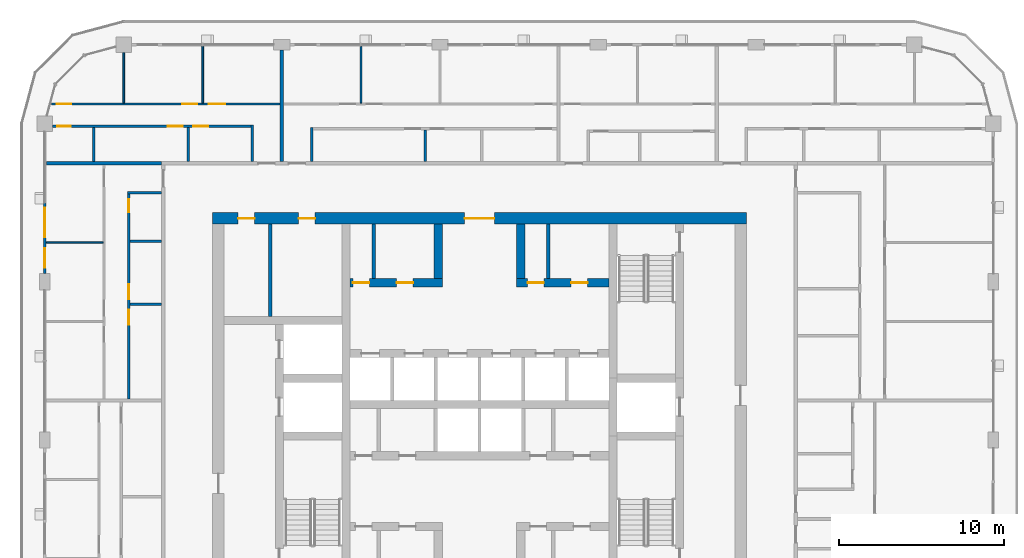
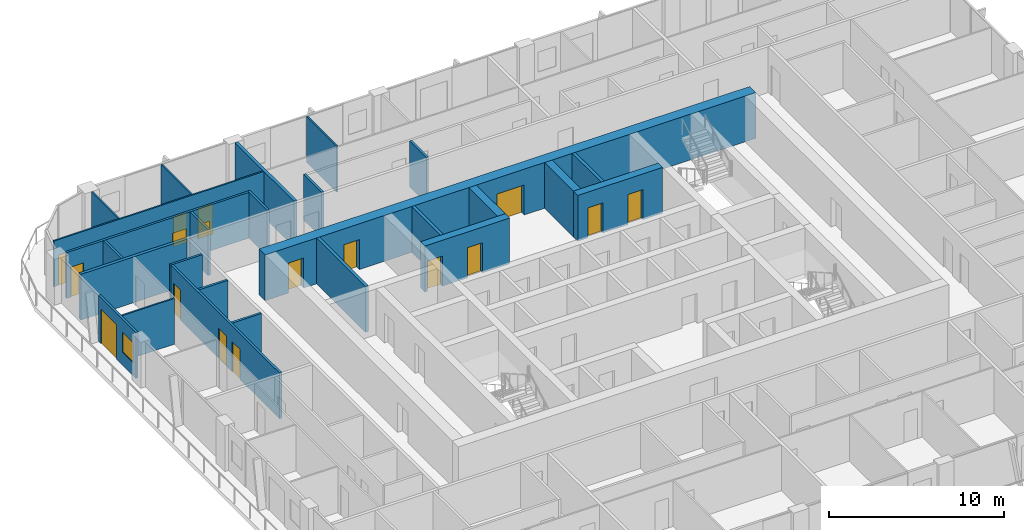
# One storey, part 13 of 22: 26 walls, 17 doors, 1 window, 18 openings.
"""IFC4 building model written with IfcOpenShell, lengths in metres."""

from ifc_helpers import new_model, si_unit, direction, frame, frame_2d, origin, place, context, subcontext, project, spatial, rectangle, extrude, material, layer, layer_set, type_object, element, fill, save


model = new_model("IFC4")

# Units and contexts
model_context = context("Model", 3, precision=1e-05, world=origin(), true_north=direction((0.0, 1.0)))
body_context = subcontext(model_context, "Body", "Model", "MODEL_VIEW")
ifc_project = project(units=[si_unit("LENGTHUNIT", "METRE"), si_unit("AREAUNIT", "SQUARE_METRE"), si_unit("VOLUMEUNIT", "CUBIC_METRE"), si_unit("PLANEANGLEUNIT", "RADIAN"), si_unit("MASSUNIT", "GRAM", prefix="KILO")], contexts=[model_context])

# Site, building, storey
site_placement = place(None, origin())
site = spatial("IfcSite", under=ifc_project, at=site_placement, CompositionType="ELEMENT")
building_placement = place(site_placement, origin())
building = spatial("IfcBuilding", under=site, at=building_placement, Name="Madar Terraces", CompositionType="ELEMENT")
storey_placement = place(building_placement, frame((0.0, 0.0, 189.39990234375)))
storey = spatial("IfcBuildingStorey", under=building, at=storey_placement, Name="L49", CompositionType="ELEMENT", Elevation=189.39990234375)

# Wall, openings, doors
ifc_material_1 = material(Name="Concrete C60/75", Category="concrete")
ifc_layer_1 = layer(ifc_material_1, 0.5)
ifc_layer_set_1 = layer_set([ifc_layer_1], Name="Concrete C60/75 (CIW4 RC wall 500)")
wall_type_1 = type_object("IfcWallType", Name="CIW4 RC wall 500", PredefinedType="SHEAR", material=ifc_layer_set_1)
wall_1_placement = place(storey_placement, frame((23.35009765625, 33.550048828125, 0.0), z_axis=(0.0, 0.0, 1.0), x_axis=(1.0, 0.0, 0.0)))
wall_1 = element("IfcWall", 1, at=wall_1_placement, inside=storey, type_object=wall_type_1, Name="CORE SHAFT WALL", PredefinedType="SHEAR", context=body_context, shape_type="SweptSolid", body=[
    extrude(rectangle(XDim=5.599853515625, YDim=0.5, at=frame_2d((2.7998046875, 0.0))), origin(), (0.0, 0.0, 1.0), 3.2001953125),
])
opening_1_placement = place(wall_1_placement, frame((0.1640625, 0.0, 0.0)))
opening_1 = element("IfcOpeningElement", 2, at=opening_1_placement, cuts=wall_1, Name="Opening KD2", PredefinedType="OPENING", context=body_context, shape_type="SweptSolid", body=[
    extrude(rectangle(XDim=1.0, YDim=2.10009765625, at=frame_2d((0.5, 1.050048828125))), frame((0.0, 0.260009765625, 0.0), z_axis=(0.0, -1.0, 0.0), x_axis=(1.0, 0.0, 0.0)), (0.0, 0.0, 1.0), 0.52001953125),
])
opening_2_placement = place(wall_1_placement, frame((2.81396484375, 0.0, 0.0)))
opening_2 = element("IfcOpeningElement", 3, at=opening_2_placement, cuts=wall_1, Name="Opening KD2", PredefinedType="OPENING", context=body_context, shape_type="SweptSolid", body=[
    extrude(rectangle(XDim=1.0, YDim=2.10009765625, at=frame_2d((0.5, 1.050048828125))), frame((0.0, 0.260009765625, 0.0), z_axis=(0.0, -1.0, 0.0), x_axis=(1.0, 0.0, 0.0)), (0.0, 0.0, 1.0), 0.52001953125),
])
ifc_material_2 = material(Name="Steel door leaf", Category="steel")
door_type_1 = type_object("IfcDoorType", Name="Service room door 1000 x 2100", OperationType="NOTDEFINED", PredefinedType="DOOR", material=ifc_material_2)
door_1_placement = place(opening_1_placement, frame((1.0, 0.0, 0.0), z_axis=(0.0, 0.0, 1.0), x_axis=(-1.0, 0.0, 0.0)))
door_1 = element("IfcDoor", 4, at=door_1_placement, inside=storey, type_object=door_type_1, Name="SERVICE ROOM DOOR", OperationType="SINGLE_SWING_RIGHT", OverallHeight=2.10009765625, OverallWidth=1.0, PredefinedType="DOOR", context=body_context, shape_type="SweptSolid", body=[
    extrude(rectangle(XDim=1.0, YDim=2.10009765625, at=frame_2d((0.5, 1.050048828125))), frame((0.0, 0.02490234375, 0.0), z_axis=(0.0, -1.0, 0.0), x_axis=(1.0, 0.0, 0.0)), (0.0, 0.0, 1.0), 0.050048828125),
])
fill(opening_1, door_1)
door_2_placement = place(opening_2_placement, frame((1.0, 0.0, 0.0), z_axis=(0.0, 0.0, 1.0), x_axis=(-1.0, 0.0, 0.0)))
door_2 = element("IfcDoor", 5, at=door_2_placement, inside=storey, type_object=door_type_1, Name="SERVICE ROOM DOOR", OperationType="SINGLE_SWING_LEFT", OverallHeight=2.10009765625, OverallWidth=1.0, PredefinedType="DOOR", context=body_context, shape_type="SweptSolid", body=[
    extrude(rectangle(XDim=1.0, YDim=2.10009765625, at=frame_2d((0.5, 1.050048828125))), frame((0.0, 0.02490234375, 0.0), z_axis=(0.0, -1.0, 0.0), x_axis=(1.0, 0.0, 0.0)), (0.0, 0.0, 1.0), 0.050048828125),
])
fill(opening_2, door_2)

wall_2_placement = place(storey_placement, frame((33.449951171875, 33.550048828125, 0.0), z_axis=(0.0, 0.0, 1.0), x_axis=(1.0, 0.0, 0.0)))
wall_2 = element("IfcWall", 6, at=wall_2_placement, inside=storey, type_object=wall_type_1, Name="CORE SHAFT WALL", PredefinedType="SHEAR", context=body_context, shape_type="SweptSolid", body=[
    extrude(rectangle(XDim=5.60009765625, YDim=0.5, at=frame_2d((2.800048828125, 0.0))), origin(), (0.0, 0.0, 1.0), 3.2001953125),
])
opening_3_placement = place(wall_2_placement, frame((0.6640625, 0.0, 0.0)))
opening_3 = element("IfcOpeningElement", 7, at=opening_3_placement, cuts=wall_2, Name="Opening KD2", PredefinedType="OPENING", context=body_context, shape_type="SweptSolid", body=[
    extrude(rectangle(XDim=1.0, YDim=2.10009765625, at=frame_2d((0.5, 1.050048828125))), frame((0.0, 0.260009765625, 0.0), z_axis=(0.0, -1.0, 0.0), x_axis=(1.0, 0.0, 0.0)), (0.0, 0.0, 1.0), 0.52001953125),
])
opening_4_placement = place(wall_2_placement, frame((3.31396484375, 0.0, 0.0)))
opening_4 = element("IfcOpeningElement", 8, at=opening_4_placement, cuts=wall_2, Name="Opening KD2", PredefinedType="OPENING", context=body_context, shape_type="SweptSolid", body=[
    extrude(rectangle(XDim=1.0, YDim=2.10009765625, at=frame_2d((0.5, 1.050048828125))), frame((0.0, 0.260009765625, 0.0), z_axis=(0.0, -1.0, 0.0), x_axis=(1.0, 0.0, 0.0)), (0.0, 0.0, 1.0), 0.52001953125),
])
door_3_placement = place(opening_3_placement, frame((1.0, 0.0, 0.0), z_axis=(0.0, 0.0, 1.0), x_axis=(-1.0, 0.0, 0.0)))
door_3 = element("IfcDoor", 9, at=door_3_placement, inside=storey, type_object=door_type_1, Name="SERVICE ROOM DOOR", OperationType="SINGLE_SWING_RIGHT", OverallHeight=2.10009765625, OverallWidth=1.0, PredefinedType="DOOR", context=body_context, shape_type="SweptSolid", body=[
    extrude(rectangle(XDim=1.0, YDim=2.10009765625, at=frame_2d((0.5, 1.050048828125))), frame((0.0, 0.02490234375, 0.0), z_axis=(0.0, -1.0, 0.0), x_axis=(1.0, 0.0, 0.0)), (0.0, 0.0, 1.0), 0.050048828125),
])
fill(opening_3, door_3)
door_4_placement = place(opening_4_placement, frame((1.0, 0.0, 0.0), z_axis=(0.0, 0.0, 1.0), x_axis=(-1.0, 0.0, 0.0)))
door_4 = element("IfcDoor", 10, at=door_4_placement, inside=storey, type_object=door_type_1, Name="SERVICE ROOM DOOR", OperationType="SINGLE_SWING_LEFT", OverallHeight=2.10009765625, OverallWidth=1.0, PredefinedType="DOOR", context=body_context, shape_type="SweptSolid", body=[
    extrude(rectangle(XDim=1.0, YDim=2.10009765625, at=frame_2d((0.5, 1.050048828125))), frame((0.0, 0.02490234375, 0.0), z_axis=(0.0, -1.0, 0.0), x_axis=(1.0, 0.0, 0.0)), (0.0, 0.0, 1.0), 0.050048828125),
])
fill(opening_4, door_4)

# Walls
for number, where, z_axis, x_axis, name in (
    (11, (28.699951171875, 33.800048828125, 0.0), (0.0, 0.0, 1.0), (0.0, 1.0, 0.0), "CORE SHAFT WALL"),
    (12, (33.699951171875, 33.800048828125, 0.0), (0.0, 0.0, 1.0), (0.0, 1.0, 0.0), "CORE SHAFT WALL"),
):
    element("IfcWall", number, at=place(storey_placement, frame(where, z_axis=z_axis, x_axis=x_axis)), inside=storey, type_object=wall_type_1, Name=name, PredefinedType="SHEAR", context=body_context, shape_type="SweptSolid", body=[
        extrude(rectangle(XDim=3.300048828125, YDim=0.5, at=frame_2d((1.64990234375, 0.0))), origin(), (0.0, 0.0, 1.0), 3.2001953125),
    ])

# Wall, openings, doors
ifc_material_3 = material(Name="Concrete C60/75", Category="concrete")
ifc_layer_2 = layer(ifc_material_3, 0.699951171875)
ifc_layer_set_2 = layer_set([ifc_layer_2], Name="Concrete C60/75 (CRW4 RC wall 700)")
wall_type_2 = type_object("IfcWallType", Name="CRW4 RC wall 700", PredefinedType="SHEAR", material=ifc_layer_set_2)
wall_3_placement = place(storey_placement, frame((15.0, 37.449951171875, 0.0), z_axis=(0.0, 0.0, 1.0), x_axis=(1.0, 0.0, 0.0)))
wall_3 = element("IfcWall", 13, at=wall_3_placement, inside=storey, type_object=wall_type_2, Name="CORE OUTER WALL", PredefinedType="SHEAR", context=body_context, shape_type="SweptSolid", body=[
    extrude(rectangle(XDim=32.39990234375, YDim=0.699951171875, at=frame_2d((16.199951171875, 0.0))), origin(), (0.0, 0.0, 1.0), 3.2001953125),
])
opening_5_placement = place(wall_3_placement, frame((15.300048828125, 0.0, 0.0)))
opening_5 = element("IfcOpeningElement", 14, at=opening_5_placement, cuts=wall_3, Name="Opening KD1", PredefinedType="OPENING", context=body_context, shape_type="SweptSolid", body=[
    extrude(rectangle(XDim=1.800048828125, YDim=2.10009765625, at=frame_2d((0.89990234375, 1.050048828125))), frame((0.0, 0.35986328125, 0.0), z_axis=(0.0, -1.0, 0.0), x_axis=(1.0, 0.0, 0.0)), (0.0, 0.0, 1.0), 0.719970703125),
])
opening_6_placement = place(wall_3_placement, frame((1.544189453125, 0.0, 0.0)))
opening_6 = element("IfcOpeningElement", 15, at=opening_6_placement, cuts=wall_3, Name="Opening KD2", PredefinedType="OPENING", context=body_context, shape_type="SweptSolid", body=[
    extrude(rectangle(XDim=1.0, YDim=2.10009765625, at=frame_2d((0.5, 1.050048828125))), frame((0.0, 0.35986328125, 0.0), z_axis=(0.0, -1.0, 0.0), x_axis=(1.0, 0.0, 0.0)), (0.0, 0.0, 1.0), 0.719970703125),
])
opening_7_placement = place(wall_3_placement, frame((5.21923828125, 0.0, 0.0)))
opening_7 = element("IfcOpeningElement", 16, at=opening_7_placement, cuts=wall_3, Name="Opening KD2", PredefinedType="OPENING", context=body_context, shape_type="SweptSolid", body=[
    extrude(rectangle(XDim=1.0, YDim=2.10009765625, at=frame_2d((0.5, 1.050048828125))), frame((0.0, 0.35986328125, 0.0), z_axis=(0.0, -1.0, 0.0), x_axis=(1.0, 0.0, 0.0)), (0.0, 0.0, 1.0), 0.719970703125),
])
ifc_material_4 = material(Name="Steel door leaf", Category="steel")
door_type_2 = type_object("IfcDoorType", Name="Lobby door pair 1800 x 2100", OperationType="DOUBLE_DOOR_SINGLE_SWING", PredefinedType="DOOR", material=ifc_material_4)
door_5_placement = place(opening_5_placement, origin())
door_5 = element("IfcDoor", 17, at=door_5_placement, inside=storey, type_object=door_type_2, Name="LIFT LOBBY DOOR", OperationType="DOUBLE_DOOR_SINGLE_SWING", OverallHeight=2.10009765625, OverallWidth=1.800048828125, PredefinedType="DOOR", context=body_context, shape_type="SweptSolid", body=[
    extrude(rectangle(XDim=1.800048828125, YDim=2.10009765625, at=frame_2d((0.89990234375, 1.050048828125))), frame((0.0, 0.02490234375, 0.0), z_axis=(0.0, -1.0, 0.0), x_axis=(1.0, 0.0, 0.0)), (0.0, 0.0, 1.0), 0.050048828125),
])
fill(opening_5, door_5)
door_6_placement = place(opening_6_placement, origin())
door_6 = element("IfcDoor", 18, at=door_6_placement, inside=storey, type_object=door_type_1, Name="SERVICE ROOM DOOR", OperationType="SINGLE_SWING_RIGHT", OverallHeight=2.10009765625, OverallWidth=1.0, PredefinedType="DOOR", context=body_context, shape_type="SweptSolid", body=[
    extrude(rectangle(XDim=1.0, YDim=2.10009765625, at=frame_2d((0.5, 1.050048828125))), frame((0.0, 0.02490234375, 0.0), z_axis=(0.0, -1.0, 0.0), x_axis=(1.0, 0.0, 0.0)), (0.0, 0.0, 1.0), 0.050048828125),
])
fill(opening_6, door_6)
door_7_placement = place(opening_7_placement, origin())
door_7 = element("IfcDoor", 19, at=door_7_placement, inside=storey, type_object=door_type_1, Name="SERVICE ROOM DOOR", OperationType="SINGLE_SWING_LEFT", OverallHeight=2.10009765625, OverallWidth=1.0, PredefinedType="DOOR", context=body_context, shape_type="SweptSolid", body=[
    extrude(rectangle(XDim=1.0, YDim=2.10009765625, at=frame_2d((0.5, 1.050048828125))), frame((0.0, 0.02490234375, 0.0), z_axis=(0.0, -1.0, 0.0), x_axis=(1.0, 0.0, 0.0)), (0.0, 0.0, 1.0), 0.050048828125),
])
fill(opening_7, door_7)

# Walls
ifc_material_5 = material(Name="Masonry blockwork", Category="masonry")
ifc_layer_3 = layer(ifc_material_5, 0.199951171875)
ifc_layer_set_3 = layer_set([ifc_layer_3], Name="Core partition 200 blockwork")
wall_type_3 = type_object("IfcWallType", Name="Core partition 200 blockwork", PredefinedType="PARTITIONING", material=ifc_layer_set_3)
wall_4_placement = place(storey_placement, frame((18.488525390625, 31.5, 0.0), z_axis=(0.0, 0.0, 1.0), x_axis=(0.0, 1.0, 0.0)))
element("IfcWall", 20, at=wall_4_placement, inside=storey, type_object=wall_type_3, Name="SERVICE ROOM PARTITION", PredefinedType="PARTITIONING", context=body_context, shape_type="SweptSolid", body=[
    extrude(rectangle(XDim=5.60009765625, YDim=0.199951171875, at=frame_2d((2.800048828125, 0.0))), origin(), (0.0, 0.0, 1.0), 3.2001953125),
])
for number, where, z_axis, x_axis, name in (
    (21, (24.778076171875, 33.800048828125, 0.0), (0.0, 0.0, 1.0), (0.0, 1.0, 0.0), "SERVICE ROOM PARTITION"),
    (22, (35.3779296875, 33.800048828125, 0.0), (0.0, 0.0, 1.0), (0.0, 1.0, 0.0), "SERVICE ROOM PARTITION"),
):
    element("IfcWall", number, at=place(storey_placement, frame(where, z_axis=z_axis, x_axis=x_axis)), inside=storey, type_object=wall_type_3, Name=name, PredefinedType="PARTITIONING", context=body_context, shape_type="SweptSolid", body=[
        extrude(rectangle(XDim=3.300048828125, YDim=0.199951171875, at=frame_2d((1.64990234375, 0.0))), origin(), (0.0, 0.0, 1.0), 3.2001953125),
    ])

# Wall, openings, door, window
ifc_material_6 = material(Name="Aluminium composite panel, black, over insulated backing", Category="aluminium")
ifc_layer_4 = layer(ifc_material_6, 0.14990234375)
ifc_layer_set_4 = layer_set([ifc_layer_4], Name="Facade bay panel 150")
wall_type_4 = type_object("IfcWallType", Name="Facade bay panel 150", PredefinedType="SOLIDWALL", material=ifc_layer_set_4)
wall_5_placement = place(storey_placement, frame((4.800048828125, 38.39990234375, 0.0), z_axis=(0.0, 0.0, 1.0), x_axis=(0.0, -1.0, 0.0)))
wall_5 = element("IfcWall", 23, at=wall_5_placement, inside=storey, type_object=wall_type_4, Name="Facade bay panel", PredefinedType="SOLIDWALL", context=body_context, shape_type="SweptSolid", body=[
    extrude(rectangle(XDim=4.2998046875, YDim=0.14990234375, at=frame_2d((2.14990234375, 0.0))), origin(), (0.0, 0.0, 1.0), 3.2001953125),
])
opening_8_placement = place(wall_5_placement, frame((0.300048828125, 0.0, 0.0)))
opening_8 = element("IfcOpeningElement", 24, at=opening_8_placement, cuts=wall_5, Name="Opening ED1", PredefinedType="OPENING", context=body_context, shape_type="SweptSolid", body=[
    extrude(rectangle(XDim=1.800048828125, YDim=2.39990234375, at=frame_2d((0.89990234375, 1.199951171875))), frame((0.0, 0.0849609375, 0.0), z_axis=(0.0, -1.0, 0.0), x_axis=(1.0, 0.0, 0.0)), (0.0, 0.0, 1.0), 0.169921875),
])
opening_9_placement = place(wall_5_placement, frame((2.75, 0.0, 0.89990234375)))
opening_9 = element("IfcOpeningElement", 25, at=opening_9_placement, cuts=wall_5, Name="Opening W1", PredefinedType="OPENING", context=body_context, shape_type="SweptSolid", body=[
    extrude(rectangle(XDim=1.199951171875, YDim=1.39990234375, at=frame_2d((0.60009765625, 0.699951171875))), frame((0.0, 0.0849609375, 0.0), z_axis=(0.0, -1.0, 0.0), x_axis=(1.0, 0.0, 0.0)), (0.0, 0.0, 1.0), 0.169921875),
])
ifc_material_7 = material(Name="Glass, clear, with black aluminium frame", Category="aluminium")
door_type_3 = type_object("IfcDoorType", Name="Balcony and terrace sliding door 1800 x 2400", OperationType="SLIDING_TO_LEFT", PredefinedType="DOOR", material=ifc_material_7)
door_8_placement = place(opening_8_placement, origin())
door_8 = element("IfcDoor", 26, at=door_8_placement, inside=storey, type_object=door_type_3, Name="Balcony door", OperationType="SLIDING_TO_RIGHT", OverallHeight=2.39990234375, OverallWidth=1.800048828125, PredefinedType="DOOR", context=body_context, shape_type="SweptSolid", body=[
    extrude(rectangle(XDim=1.800048828125, YDim=2.39990234375, at=frame_2d((0.89990234375, 1.199951171875))), frame((0.0, 0.02490234375, 0.0), z_axis=(0.0, -1.0, 0.0), x_axis=(1.0, 0.0, 0.0)), (0.0, 0.0, 1.0), 0.050048828125),
])
fill(opening_8, door_8)
ifc_material_8 = material(Name="Glass, clear, with black aluminium frame", Category="aluminium")
window_type = type_object("IfcWindowType", Name="Vent window 1200 x 1400", PartitioningType="SINGLE_PANEL", PredefinedType="WINDOW", material=ifc_material_8)
window_placement = place(opening_9_placement, origin())
window = element("IfcWindow", 27, at=window_placement, inside=storey, type_object=window_type, Name="Operable vent window", OverallHeight=1.39990234375, OverallWidth=1.199951171875, PartitioningType="SINGLE_PANEL", PredefinedType="WINDOW", context=body_context, shape_type="SweptSolid", body=[
    extrude(rectangle(XDim=1.199951171875, YDim=1.39990234375, at=frame_2d((0.60009765625, 0.699951171875))), frame((0.0, 0.030029296875, 0.0), z_axis=(0.0, -1.0, 0.0), x_axis=(1.0, 0.0, 0.0)), (0.0, 0.0, 1.0), 0.06005859375),
])
fill(opening_9, window)

# Walls
ifc_material_9 = material(Name="Gypsum board on steel studs", Category="steel")
ifc_layer_5 = layer(ifc_material_9, 0.10009765625)
ifc_layer_set_5 = layer_set([ifc_layer_5], Name="Flat partition 100")
wall_type_5 = type_object("IfcWallType", Name="Flat partition 100", PredefinedType="PARTITIONING", material=ifc_layer_set_5)
for number, where, z_axis, x_axis, name in (
    (28, (24.0, 44.449951171875, 0.0), (0.0, 0.0, 1.0), (0.0, 1.0, 0.0), "Flat partition 100"),
    (29, (14.39990234375, 44.449951171875, 0.0), (0.0, 0.0, 1.0), (0.0, 1.0, 0.0), "Flat partition 100"),
):
    element("IfcWall", number, at=place(storey_placement, frame(where, z_axis=z_axis, x_axis=x_axis)), inside=storey, type_object=wall_type_5, Name=name, PredefinedType="PARTITIONING", context=body_context, shape_type="SweptSolid", body=[
        extrude(rectangle(XDim=3.449951171875, YDim=0.10009765625, at=frame_2d((1.72509765625, 0.0))), origin(), (0.0, 0.0, 1.0), 3.2001953125),
    ])
wall_6_placement = place(storey_placement, frame((9.60009765625, 44.449951171875, 0.0), z_axis=(0.0, 0.0, 1.0), x_axis=(0.0, 1.0, 0.0)))
element("IfcWall", 30, at=wall_6_placement, inside=storey, type_object=wall_type_5, Name="Flat partition 100", PredefinedType="PARTITIONING", context=body_context, shape_type="SweptSolid", body=[
    extrude(rectangle(XDim=3.074951171875, YDim=0.10009765625, at=frame_2d((1.53759765625, 0.0))), origin(), (0.0, 0.0, 1.0), 3.2001953125),
])

# Wall, openings, doors
wall_7_placement = place(storey_placement, frame((5.221435546875, 44.39990234375, 0.0), z_axis=(0.0, 0.0, 1.0), x_axis=(1.0, 0.0, 0.0)))
wall_7 = element("IfcWall", 31, at=wall_7_placement, inside=storey, type_object=wall_type_5, Name="Flat partition 100", PredefinedType="PARTITIONING", context=body_context, shape_type="SweptSolid", body=[
    extrude(rectangle(XDim=13.878662109375, YDim=0.10009765625, at=frame_2d((6.939453125, 0.0))), origin(), (0.0, 0.0, 1.0), 3.2001953125),
])
opening_10_placement = place(wall_7_placement, frame((9.528564453125, 0.0, 0.0)))
opening_10 = element("IfcOpeningElement", 32, at=opening_10_placement, cuts=wall_7, Name="Opening D3", PredefinedType="OPENING", context=body_context, shape_type="SweptSolid", body=[
    extrude(rectangle(XDim=1.0, YDim=2.10009765625, at=frame_2d((0.5, 1.050048828125))), frame((0.0, 0.06005859375, 0.0), z_axis=(0.0, -1.0, 0.0), x_axis=(1.0, 0.0, 0.0)), (0.0, 0.0, 1.0), 0.1201171875),
])
opening_11_placement = place(wall_7_placement, frame((7.928466796875, 0.0, 0.0)))
opening_11 = element("IfcOpeningElement", 33, at=opening_11_placement, cuts=wall_7, Name="Opening D2", PredefinedType="OPENING", context=body_context, shape_type="SweptSolid", body=[
    extrude(rectangle(XDim=0.89990234375, YDim=2.10009765625, at=frame_2d((0.449951171875, 1.050048828125))), frame((0.0, 0.06005859375, 0.0), z_axis=(0.0, -1.0, 0.0), x_axis=(1.0, 0.0, 0.0)), (0.0, 0.0, 1.0), 0.1201171875),
])
opening_12_placement = place(wall_7_placement, frame((0.300048828125, 0.0, 0.0)))
opening_12 = element("IfcOpeningElement", 34, at=opening_12_placement, cuts=wall_7, Name="Opening D2", PredefinedType="OPENING", context=body_context, shape_type="SweptSolid", body=[
    extrude(rectangle(XDim=0.89990234375, YDim=2.10009765625, at=frame_2d((0.449951171875, 1.050048828125))), frame((0.0, 0.06005859375, 0.0), z_axis=(0.0, -1.0, 0.0), x_axis=(1.0, 0.0, 0.0)), (0.0, 0.0, 1.0), 0.1201171875),
])
ifc_material_10 = material(Name="Timber door leaf", Category="wood")
door_type_4 = type_object("IfcDoorType", Name="Flat living room door 1000", OperationType="NOTDEFINED", PredefinedType="DOOR", material=ifc_material_10)
door_9_placement = place(opening_10_placement, origin())
door_9 = element("IfcDoor", 35, at=door_9_placement, inside=storey, type_object=door_type_4, Name="Flat living room door 1000", OperationType="SINGLE_SWING_LEFT", OverallHeight=2.10009765625, OverallWidth=1.0, PredefinedType="DOOR", context=body_context, shape_type="SweptSolid", body=[
    extrude(rectangle(XDim=1.0, YDim=2.10009765625, at=frame_2d((0.5, 1.050048828125))), frame((0.0, 0.02490234375, 0.0), z_axis=(0.0, -1.0, 0.0), x_axis=(1.0, 0.0, 0.0)), (0.0, 0.0, 1.0), 0.050048828125),
])
fill(opening_10, door_9)
ifc_material_11 = material(Name="Timber door leaf", Category="wood")
door_type_5 = type_object("IfcDoorType", Name="Flat room door 900", OperationType="NOTDEFINED", PredefinedType="DOOR", material=ifc_material_11)
door_10_placement = place(opening_11_placement, origin())
door_10 = element("IfcDoor", 36, at=door_10_placement, inside=storey, type_object=door_type_5, Name="Flat room door 900", OperationType="SINGLE_SWING_RIGHT", OverallHeight=2.10009765625, OverallWidth=0.89990234375, PredefinedType="DOOR", context=body_context, shape_type="SweptSolid", body=[
    extrude(rectangle(XDim=0.89990234375, YDim=2.10009765625, at=frame_2d((0.449951171875, 1.050048828125))), frame((0.0, 0.02490234375, 0.0), z_axis=(0.0, -1.0, 0.0), x_axis=(1.0, 0.0, 0.0)), (0.0, 0.0, 1.0), 0.050048828125),
])
fill(opening_11, door_10)
door_11_placement = place(opening_12_placement, origin())
door_11 = element("IfcDoor", 37, at=door_11_placement, inside=storey, type_object=door_type_5, Name="Flat room door 900", OperationType="SINGLE_SWING_LEFT", OverallHeight=2.10009765625, OverallWidth=0.89990234375, PredefinedType="DOOR", context=body_context, shape_type="SweptSolid", body=[
    extrude(rectangle(XDim=0.89990234375, YDim=2.10009765625, at=frame_2d((0.449951171875, 1.050048828125))), frame((0.0, 0.02490234375, 0.0), z_axis=(0.0, -1.0, 0.0), x_axis=(1.0, 0.0, 0.0)), (0.0, 0.0, 1.0), 0.050048828125),
])
fill(opening_12, door_11)

# Walls
wall_8_placement = place(storey_placement, frame((8.35009765625, 36.0, 0.0), z_axis=(0.0, 0.0, 1.0), x_axis=(-1.0, 0.0, 0.0)))
element("IfcWall", 38, at=wall_8_placement, inside=storey, type_object=wall_type_5, Name="Flat partition 100", PredefinedType="PARTITIONING", context=body_context, shape_type="SweptSolid", body=[
    extrude(rectangle(XDim=3.4501953125, YDim=0.10009765625, at=frame_2d((1.72509765625, 0.0))), origin(), (0.0, 0.0, 1.0), 3.2001953125),
])
ifc_material_12 = material(Name="Lightweight blockwork", Category="masonry")
ifc_layer_6 = layer(ifc_material_12, 0.199951171875)
ifc_layer_set_6 = layer_set([ifc_layer_6], Name="Flat party and entrance wall 200")
wall_type_6 = type_object("IfcWallType", Name="Flat party and entrance wall 200", PredefinedType="PARTITIONING", material=ifc_layer_set_6)
wall_9_placement = place(storey_placement, frame((19.199951171875, 47.675048828125, 0.0), z_axis=(0.0, 0.0, 1.0), x_axis=(0.0, -1.0, 0.0)))
element("IfcWall", 39, at=wall_9_placement, inside=storey, type_object=wall_type_6, Name="Flat party and entrance wall 200", PredefinedType="PARTITIONING", context=body_context, shape_type="SweptSolid", body=[
    extrude(rectangle(XDim=6.775146484375, YDim=0.199951171875, at=frame_2d((3.3876953125, 0.0))), origin(), (0.0, 0.0, 1.0), 3.2001953125),
])
wall_10_placement = place(storey_placement, frame((4.89990234375, 40.800048828125, 0.0), z_axis=(0.0, 0.0, 1.0), x_axis=(1.0, 0.0, 0.0)))
element("IfcWall", 40, at=wall_10_placement, inside=storey, type_object=wall_type_6, Name="Flat party and entrance wall 200", PredefinedType="PARTITIONING", context=body_context, shape_type="SweptSolid", body=[
    extrude(rectangle(XDim=7.0, YDim=0.199951171875, at=frame_2d((3.5, 0.0))), origin(), (0.0, 0.0, 1.0), 3.2001953125),
])
ifc_material_13 = material(Name="Lightweight blockwork", Category="masonry")
ifc_layer_7 = layer(ifc_material_13, 0.14990234375)
ifc_layer_set_7 = layer_set([ifc_layer_7], Name="Flat wet-room partition 150")
wall_type_7 = type_object("IfcWallType", Name="Flat wet-room partition 150", PredefinedType="PARTITIONING", material=ifc_layer_set_7)
wall_11_placement = place(storey_placement, frame((27.917236328125, 40.89990234375, 0.0), z_axis=(0.0, 0.0, 1.0), x_axis=(0.0, 1.0, 0.0)))
element("IfcWall", 41, at=wall_11_placement, inside=storey, type_object=wall_type_7, Name="Flat wet-room partition 150", PredefinedType="PARTITIONING", context=body_context, shape_type="SweptSolid", body=[
    extrude(rectangle(XDim=1.925048828125, YDim=0.14990234375, at=frame_2d((0.96240234375, 0.0))), origin(), (0.0, 0.0, 1.0), 3.2001953125),
])
for number, where, z_axis, x_axis, name in (
    (42, (21.0, 40.89990234375, 0.0), (0.0, 0.0, 1.0), (0.0, 1.0, 0.0), "Flat wet-room partition 150"),
    (43, (13.501953125, 40.89990234375, 0.0), (0.0, 0.0, 1.0), (0.0, 1.0, 0.0), "Flat wet-room partition 150"),
    (44, (7.767333984375, 40.89990234375, 0.0), (0.0, 0.0, 1.0), (0.0, 1.0, 0.0), "Flat wet-room partition 150"),
):
    element("IfcWall", number, at=place(storey_placement, frame(where, z_axis=z_axis, x_axis=x_axis)), inside=storey, type_object=wall_type_7, Name=name, PredefinedType="PARTITIONING", context=body_context, shape_type="SweptSolid", body=[
        extrude(rectangle(XDim=2.0751953125, YDim=0.14990234375, at=frame_2d((1.03759765625, 0.0))), origin(), (0.0, 0.0, 1.0), 3.2001953125),
    ])
wall_12_placement = place(storey_placement, frame((17.39990234375, 40.89990234375, 0.0), z_axis=(0.0, 0.0, 1.0), x_axis=(0.0, 1.0, 0.0)))
element("IfcWall", 45, at=wall_12_placement, inside=storey, type_object=wall_type_7, Name="Flat wet-room partition 150", PredefinedType="PARTITIONING", context=body_context, shape_type="SweptSolid", body=[
    extrude(rectangle(XDim=2.22509765625, YDim=0.14990234375, at=frame_2d((1.112548828125, 0.0))), origin(), (0.0, 0.0, 1.0), 3.2001953125),
])

# Wall, openings, doors
wall_13_placement = place(storey_placement, frame((17.324951171875, 43.050048828125, 0.0), z_axis=(0.0, 0.0, 1.0), x_axis=(-1.0, 0.0, 0.0)))
wall_13 = element("IfcWall", 46, at=wall_13_placement, inside=storey, type_object=wall_type_7, Name="Flat wet-room partition 150", PredefinedType="PARTITIONING", context=body_context, shape_type="SweptSolid", body=[
    extrude(rectangle(XDim=12.050048828125, YDim=0.14990234375, at=frame_2d((6.02490234375, 0.0))), origin(), (0.0, 0.0, 1.0), 3.2001953125),
])
opening_13_placement = place(wall_13_placement, frame((2.59814453125, 0.0, 0.0)))
opening_13 = element("IfcOpeningElement", 47, at=opening_13_placement, cuts=wall_13, Name="Opening D5", PredefinedType="OPENING", context=body_context, shape_type="SweptSolid", body=[
    extrude(rectangle(XDim=0.89990234375, YDim=2.10009765625, at=frame_2d((0.449951171875, 1.050048828125))), frame((0.0, 0.0849609375, 0.0), z_axis=(0.0, -1.0, 0.0), x_axis=(1.0, 0.0, 0.0)), (0.0, 0.0, 1.0), 0.169921875),
])
opening_14_placement = place(wall_13_placement, frame((4.148193359375, 0.0, 0.0)))
opening_14 = element("IfcOpeningElement", 48, at=opening_14_placement, cuts=wall_13, Name="Opening D2", PredefinedType="OPENING", context=body_context, shape_type="SweptSolid", body=[
    extrude(rectangle(XDim=0.89990234375, YDim=2.10009765625, at=frame_2d((0.449951171875, 1.050048828125))), frame((0.0, 0.0849609375, 0.0), z_axis=(0.0, -1.0, 0.0), x_axis=(1.0, 0.0, 0.0)), (0.0, 0.0, 1.0), 0.169921875),
])
opening_15_placement = place(wall_13_placement, frame((10.949951171875, 0.0, 0.0)))
opening_15 = element("IfcOpeningElement", 49, at=opening_15_placement, cuts=wall_13, Name="Opening D4", PredefinedType="OPENING", context=body_context, shape_type="SweptSolid", body=[
    extrude(rectangle(XDim=0.800048828125, YDim=2.10009765625, at=frame_2d((0.39990234375, 1.050048828125))), frame((0.0, 0.0849609375, 0.0), z_axis=(0.0, -1.0, 0.0), x_axis=(1.0, 0.0, 0.0)), (0.0, 0.0, 1.0), 0.169921875),
])
ifc_material_14 = material(Name="Timber door leaf", Category="wood")
door_type_6 = type_object("IfcDoorType", Name="Flat accessible bathroom door 900", OperationType="NOTDEFINED", PredefinedType="DOOR", material=ifc_material_14)
door_12_placement = place(opening_13_placement, origin())
door_12 = element("IfcDoor", 50, at=door_12_placement, inside=storey, type_object=door_type_6, Name="Flat accessible bathroom door 900", OperationType="SINGLE_SWING_RIGHT", OverallHeight=2.10009765625, OverallWidth=0.89990234375, PredefinedType="DOOR", context=body_context, shape_type="SweptSolid", body=[
    extrude(rectangle(XDim=0.89990234375, YDim=2.10009765625, at=frame_2d((0.449951171875, 1.050048828125))), frame((0.0, 0.02490234375, 0.0), z_axis=(0.0, -1.0, 0.0), x_axis=(1.0, 0.0, 0.0)), (0.0, 0.0, 1.0), 0.050048828125),
])
fill(opening_13, door_12)
ifc_material_15 = material(Name="Timber door leaf", Category="wood")
door_type_7 = type_object("IfcDoorType", Name="Flat bathroom door 800", OperationType="NOTDEFINED", PredefinedType="DOOR", material=ifc_material_15)
door_13_placement = place(opening_15_placement, origin())
door_13 = element("IfcDoor", 51, at=door_13_placement, inside=storey, type_object=door_type_7, Name="Flat bathroom door 800", OperationType="SINGLE_SWING_RIGHT", OverallHeight=2.10009765625, OverallWidth=0.800048828125, PredefinedType="DOOR", context=body_context, shape_type="SweptSolid", body=[
    extrude(rectangle(XDim=0.800048828125, YDim=2.10009765625, at=frame_2d((0.39990234375, 1.050048828125))), frame((0.0, 0.02490234375, 0.0), z_axis=(0.0, -1.0, 0.0), x_axis=(1.0, 0.0, 0.0)), (0.0, 0.0, 1.0), 0.050048828125),
])
fill(opening_15, door_13)
door_14_placement = place(opening_14_placement, origin())
door_14 = element("IfcDoor", 52, at=door_14_placement, inside=storey, type_object=door_type_5, Name="Flat room door 900", OperationType="SINGLE_SWING_LEFT", OverallHeight=2.10009765625, OverallWidth=0.89990234375, PredefinedType="DOOR", context=body_context, shape_type="SweptSolid", body=[
    extrude(rectangle(XDim=0.89990234375, YDim=2.10009765625, at=frame_2d((0.449951171875, 1.050048828125))), frame((0.0, 0.02490234375, 0.0), z_axis=(0.0, -1.0, 0.0), x_axis=(1.0, 0.0, 0.0)), (0.0, 0.0, 1.0), 0.050048828125),
])
fill(opening_14, door_14)

# Walls
for number, where, z_axis, x_axis, name in (
    (53, (11.89990234375, 36.0576171875, 0.0), (0.0, 0.0, 1.0), (-1.0, 0.0, 0.0), "Flat wet-room partition 150"),
    (54, (11.89990234375, 32.234619140625, 0.0), (0.0, 0.0, 1.0), (-1.0, 0.0, 0.0), "Flat wet-room partition 150"),
):
    element("IfcWall", number, at=place(storey_placement, frame(where, z_axis=z_axis, x_axis=x_axis)), inside=storey, type_object=wall_type_7, Name=name, PredefinedType="PARTITIONING", context=body_context, shape_type="SweptSolid", body=[
        extrude(rectangle(XDim=1.9248046875, YDim=0.14990234375, at=frame_2d((0.96240234375, 0.0))), origin(), (0.0, 0.0, 1.0), 3.2001953125),
    ])
wall_14_placement = place(storey_placement, frame((11.89990234375, 39.0, 0.0), z_axis=(0.0, 0.0, 1.0), x_axis=(-1.0, 0.0, 0.0)))
element("IfcWall", 55, at=wall_14_placement, inside=storey, type_object=wall_type_7, Name="Flat wet-room partition 150", PredefinedType="PARTITIONING", context=body_context, shape_type="SweptSolid", body=[
    extrude(rectangle(XDim=2.074951171875, YDim=0.14990234375, at=frame_2d((1.03759765625, 0.0))), origin(), (0.0, 0.0, 1.0), 3.2001953125),
])

# Wall, openings, doors
wall_15_placement = place(storey_placement, frame((9.89990234375, 38.925048828125, 0.0), z_axis=(0.0, 0.0, 1.0), x_axis=(0.0, -1.0, 0.0)))
wall_15 = element("IfcWall", 56, at=wall_15_placement, inside=storey, type_object=wall_type_7, Name="Flat wet-room partition 150", PredefinedType="PARTITIONING", context=body_context, shape_type="SweptSolid", body=[
    extrude(rectangle(XDim=12.425048828125, YDim=0.14990234375, at=frame_2d((6.21240234375, 0.0))), origin(), (0.0, 0.0, 1.0), 3.2001953125),
])
opening_16_placement = place(wall_15_placement, frame((0.300048828125, 0.0, 0.0)))
opening_16 = element("IfcOpeningElement", 57, at=opening_16_placement, cuts=wall_15, Name="Opening D4", PredefinedType="OPENING", context=body_context, shape_type="SweptSolid", body=[
    extrude(rectangle(XDim=0.800048828125, YDim=2.10009765625, at=frame_2d((0.39990234375, 1.050048828125))), frame((0.0, 0.0849609375, 0.0), z_axis=(0.0, -1.0, 0.0), x_axis=(1.0, 0.0, 0.0)), (0.0, 0.0, 1.0), 0.169921875),
])
opening_17_placement = place(wall_15_placement, frame((5.46533203125, 0.0, 0.0)))
opening_17 = element("IfcOpeningElement", 58, at=opening_17_placement, cuts=wall_15, Name="Opening D5", PredefinedType="OPENING", context=body_context, shape_type="SweptSolid", body=[
    extrude(rectangle(XDim=0.89990234375, YDim=2.10009765625, at=frame_2d((0.449951171875, 1.050048828125))), frame((0.0, 0.0849609375, 0.0), z_axis=(0.0, -1.0, 0.0), x_axis=(1.0, 0.0, 0.0)), (0.0, 0.0, 1.0), 0.169921875),
])
opening_18_placement = place(wall_15_placement, frame((7.015380859375, 0.0, 0.0)))
opening_18 = element("IfcOpeningElement", 59, at=opening_18_placement, cuts=wall_15, Name="Opening D2", PredefinedType="OPENING", context=body_context, shape_type="SweptSolid", body=[
    extrude(rectangle(XDim=0.89990234375, YDim=2.10009765625, at=frame_2d((0.449951171875, 1.050048828125))), frame((0.0, 0.0849609375, 0.0), z_axis=(0.0, -1.0, 0.0), x_axis=(1.0, 0.0, 0.0)), (0.0, 0.0, 1.0), 0.169921875),
])
door_15_placement = place(opening_17_placement, origin())
door_15 = element("IfcDoor", 60, at=door_15_placement, inside=storey, type_object=door_type_6, Name="Flat accessible bathroom door 900", OperationType="SINGLE_SWING_RIGHT", OverallHeight=2.10009765625, OverallWidth=0.89990234375, PredefinedType="DOOR", context=body_context, shape_type="SweptSolid", body=[
    extrude(rectangle(XDim=0.89990234375, YDim=2.10009765625, at=frame_2d((0.449951171875, 1.050048828125))), frame((0.0, 0.02490234375, 0.0), z_axis=(0.0, -1.0, 0.0), x_axis=(1.0, 0.0, 0.0)), (0.0, 0.0, 1.0), 0.050048828125),
])
fill(opening_17, door_15)
door_16_placement = place(opening_16_placement, origin())
door_16 = element("IfcDoor", 61, at=door_16_placement, inside=storey, type_object=door_type_7, Name="Flat bathroom door 800", OperationType="SINGLE_SWING_LEFT", OverallHeight=2.10009765625, OverallWidth=0.800048828125, PredefinedType="DOOR", context=body_context, shape_type="SweptSolid", body=[
    extrude(rectangle(XDim=0.800048828125, YDim=2.10009765625, at=frame_2d((0.39990234375, 1.050048828125))), frame((0.0, 0.02490234375, 0.0), z_axis=(0.0, -1.0, 0.0), x_axis=(1.0, 0.0, 0.0)), (0.0, 0.0, 1.0), 0.050048828125),
])
fill(opening_16, door_16)
door_17_placement = place(opening_18_placement, origin())
door_17 = element("IfcDoor", 62, at=door_17_placement, inside=storey, type_object=door_type_5, Name="Flat room door 900", OperationType="SINGLE_SWING_LEFT", OverallHeight=2.10009765625, OverallWidth=0.89990234375, PredefinedType="DOOR", context=body_context, shape_type="SweptSolid", body=[
    extrude(rectangle(XDim=0.89990234375, YDim=2.10009765625, at=frame_2d((0.449951171875, 1.050048828125))), frame((0.0, 0.02490234375, 0.0), z_axis=(0.0, -1.0, 0.0), x_axis=(1.0, 0.0, 0.0)), (0.0, 0.0, 1.0), 0.050048828125),
])
fill(opening_18, door_17)

save(model, "model.ifc")
